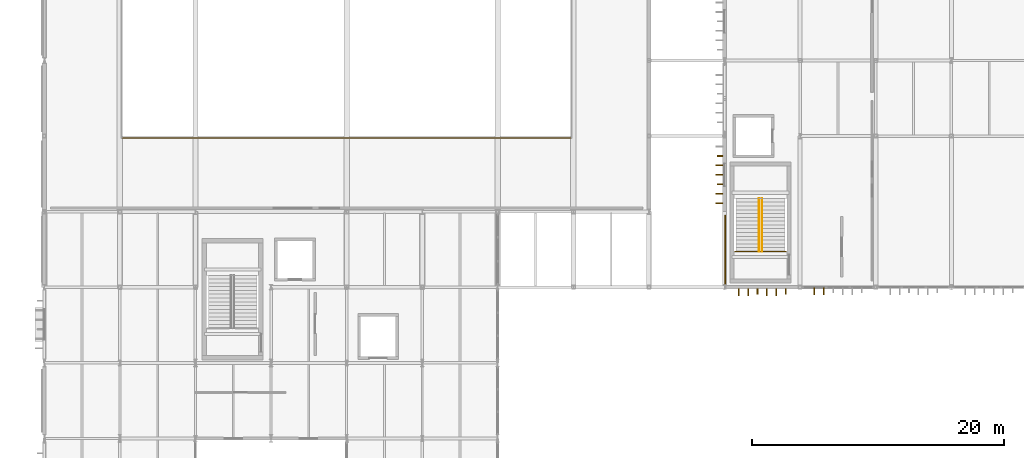
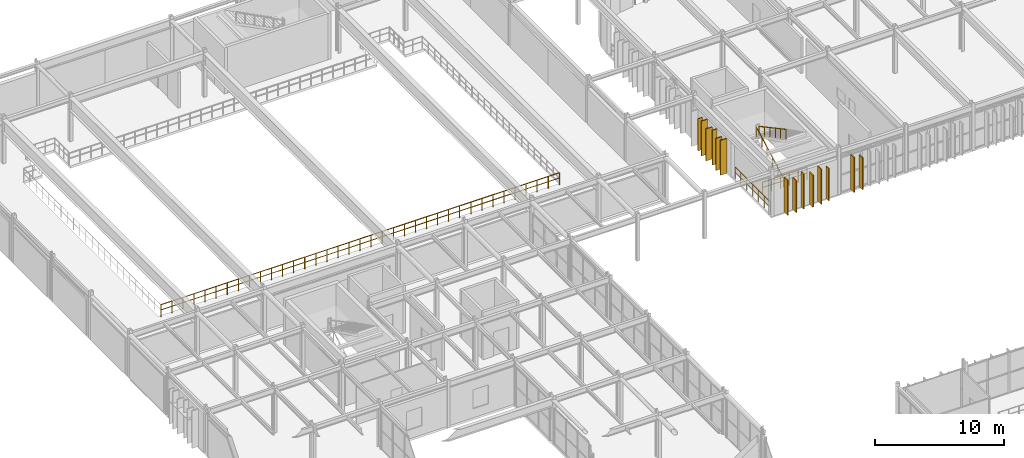
# One storey, part 87 of 96: 14 coverings, 5 railings.
"""IFC4 building model written with IfcOpenShell, lengths in metres."""

from ifc_helpers import new_model, si_unit, direction, frame, origin, origin_2d, place, context, subcontext, project, spatial, rectangle, circle, extrude, material, layer, layer_set, type_object, element, save


model = new_model("IFC4")

# Units and contexts
model_context = context("Model", 3, precision=1e-05, world=origin(), true_north=direction((0.0, 1.0)))
body_context = subcontext(model_context, "Body", "Model", "MODEL_VIEW")
ifc_project = project(units=[si_unit("LENGTHUNIT", "METRE"), si_unit("AREAUNIT", "SQUARE_METRE"), si_unit("VOLUMEUNIT", "CUBIC_METRE"), si_unit("PLANEANGLEUNIT", "RADIAN"), si_unit("MASSUNIT", "GRAM", prefix="KILO")], contexts=[model_context])

# Site, building, storey
site_placement = place(None, origin())
site = spatial("IfcSite", under=ifc_project, at=site_placement, CompositionType="ELEMENT")
building_placement = place(site_placement, origin())
building = spatial("IfcBuilding", under=site, at=building_placement, Name="Varnakota Square Police Headquarters", CompositionType="ELEMENT")
storey_placement = place(building_placement, frame((0.0, 0.0, 4.800048828125)))
storey = spatial("IfcBuildingStorey", under=building, at=storey_placement, Name="L01", CompositionType="ELEMENT", Elevation=4.800048828125)

# Coverings
ifc_material_1 = material(Name="White Anodised Aluminium Vertical Facade Blade 420", Category="aluminium")
ifc_layer_1 = layer(ifc_material_1, 0.0849609375, Name="White Anodised Aluminium Vertical Facade Blade 420")
ifc_layer_set_1 = layer_set([ifc_layer_1], Name="White Anodised Aluminium Vertical Facade Blade 420")
covering_type_1 = type_object("IfcCoveringType", Name="COV-FIN-420", PredefinedType="CLADDING", material=ifc_layer_set_1)
covering_1_placement = place(storey_placement, frame((62.612548828125, 68.655029296875, 0.0400390625), z_axis=(0.0, 0.0, 1.0), x_axis=(1.0, 0.0, 0.0)))
element("IfcCovering", 1, at=covering_1_placement, inside=storey, type_object=covering_type_1, Name="Vertical aluminium facade fin FIN-1124", PredefinedType="CLADDING", context=body_context, shape_type="SweptSolid", body=[
    extrude(rectangle(XDim=0.0849609375, YDim=0.419921875, at=origin_2d()), origin(), (0.0, 0.0, 1.0), 3.31005859375),
])
covering_2_placement = place(storey_placement, frame((64.862548828125, 68.655029296875, 0.0400390625), z_axis=(0.0, 0.0, 1.0), x_axis=(1.0, 0.0, 0.0)))
element("IfcCovering", 2, at=covering_2_placement, inside=storey, type_object=covering_type_1, Name="Vertical aluminium facade fin FIN-1127", PredefinedType="CLADDING", context=body_context, shape_type="SweptSolid", body=[
    extrude(rectangle(XDim=0.0849609375, YDim=0.419921875, at=origin_2d()), origin(), (0.0, 0.0, 1.0), 3.030029296875),
])
covering_3_placement = place(storey_placement, frame((59.635009765625, 77.173095703125, 0.0400390625), z_axis=(0.0, 0.0, 1.0), x_axis=(0.0, 1.0, 0.0)))
element("IfcCovering", 3, at=covering_3_placement, inside=storey, type_object=covering_type_1, Name="Vertical aluminium facade fin FIN-1184", PredefinedType="CLADDING", context=body_context, shape_type="SweptSolid", body=[
    extrude(rectangle(XDim=0.0849609375, YDim=0.419921875, at=origin_2d()), origin(), (0.0, 0.0, 1.0), 3.31005859375),
])
covering_4_placement = place(storey_placement, frame((59.635009765625, 79.423095703125, 0.0400390625), z_axis=(0.0, 0.0, 1.0), x_axis=(0.0, 1.0, 0.0)))
element("IfcCovering", 4, at=covering_4_placement, inside=storey, type_object=covering_type_1, Name="Vertical aluminium facade fin FIN-1187", PredefinedType="CLADDING", context=body_context, shape_type="SweptSolid", body=[
    extrude(rectangle(XDim=0.0849609375, YDim=0.419921875, at=origin_2d()), origin(), (0.0, 0.0, 1.0), 3.030029296875),
])
ifc_material_2 = material(Name="White Anodised Aluminium Vertical Facade Blade 550", Category="aluminium")
ifc_layer_2 = layer(ifc_material_2, 0.0849609375, Name="White Anodised Aluminium Vertical Facade Blade 550")
ifc_layer_set_2 = layer_set([ifc_layer_2], Name="White Anodised Aluminium Vertical Facade Blade 550")
covering_type_2 = type_object("IfcCoveringType", Name="COV-FIN-550", PredefinedType="CLADDING", material=ifc_layer_set_2)
covering_5_placement = place(storey_placement, frame((61.112548828125, 68.590087890625, 0.0400390625), z_axis=(0.0, 0.0, 1.0), x_axis=(1.0, 0.0, 0.0)))
element("IfcCovering", 5, at=covering_5_placement, inside=storey, type_object=covering_type_2, Name="Vertical aluminium facade fin FIN-1122", PredefinedType="CLADDING", context=body_context, shape_type="SweptSolid", body=[
    extrude(rectangle(XDim=0.0849609375, YDim=0.550048828125, at=origin_2d()), origin(), (0.0, 0.0, 1.0), 3.31005859375),
])
for number, where, z_axis, x_axis, name in (
    (6, (61.862548828125, 68.590087890625, 0.0400390625), (0.0, 0.0, 1.0), (1.0, 0.0, 0.0), "Vertical aluminium facade fin FIN-1123"),
    (7, (63.362548828125, 68.590087890625, 0.0400390625), (0.0, 0.0, 1.0), (1.0, 0.0, 0.0), "Vertical aluminium facade fin FIN-1125"),
):
    element("IfcCovering", number, at=place(storey_placement, frame(where, z_axis=z_axis, x_axis=x_axis)), inside=storey, type_object=covering_type_2, Name=name, PredefinedType="CLADDING", context=body_context, shape_type="SweptSolid", body=[
        extrude(rectangle(XDim=0.0849609375, YDim=0.550048828125, at=origin_2d()), origin(), (0.0, 0.0, 1.0), 3.030029296875),
    ])
for number, where, z_axis, x_axis, name in (
    (8, (64.112548828125, 68.590087890625, 0.0400390625), (0.0, 0.0, 1.0), (1.0, 0.0, 0.0), "Vertical aluminium facade fin FIN-1126"),
    (9, (67.125, 68.697509765625, 0.0400390625), (0.0, 0.0, 1.0), (1.0, 0.0, 0.0), "Vertical aluminium facade fin FIN-1128"),
):
    element("IfcCovering", number, at=place(storey_placement, frame(where, z_axis=z_axis, x_axis=x_axis)), inside=storey, type_object=covering_type_2, Name=name, PredefinedType="CLADDING", context=body_context, shape_type="SweptSolid", body=[
        extrude(rectangle(XDim=0.0849609375, YDim=0.550048828125, at=origin_2d()), origin(), (0.0, 0.0, 1.0), 3.31005859375),
    ])
covering_6_placement = place(storey_placement, frame((67.875, 68.697509765625, 0.0400390625), z_axis=(0.0, 0.0, 1.0), x_axis=(1.0, 0.0, 0.0)))
element("IfcCovering", 10, at=covering_6_placement, inside=storey, type_object=covering_type_2, Name="Vertical aluminium facade fin FIN-1129", PredefinedType="CLADDING", context=body_context, shape_type="SweptSolid", body=[
    extrude(rectangle(XDim=0.0849609375, YDim=0.550048828125, at=origin_2d()), origin(), (0.0, 0.0, 1.0), 3.030029296875),
])
covering_7_placement = place(storey_placement, frame((59.570068359375, 75.673095703125, 0.0400390625), z_axis=(0.0, 0.0, 1.0), x_axis=(0.0, 1.0, 0.0)))
element("IfcCovering", 11, at=covering_7_placement, inside=storey, type_object=covering_type_2, Name="Vertical aluminium facade fin FIN-1182", PredefinedType="CLADDING", context=body_context, shape_type="SweptSolid", body=[
    extrude(rectangle(XDim=0.0849609375, YDim=0.550048828125, at=origin_2d()), origin(), (0.0, 0.0, 1.0), 3.31005859375),
])
for number, where, z_axis, x_axis, name in (
    (12, (59.570068359375, 76.423095703125, 0.0400390625), (0.0, 0.0, 1.0), (0.0, 1.0, 0.0), "Vertical aluminium facade fin FIN-1183"),
    (13, (59.570068359375, 77.923095703125, 0.0400390625), (0.0, 0.0, 1.0), (0.0, 1.0, 0.0), "Vertical aluminium facade fin FIN-1185"),
):
    element("IfcCovering", number, at=place(storey_placement, frame(where, z_axis=z_axis, x_axis=x_axis)), inside=storey, type_object=covering_type_2, Name=name, PredefinedType="CLADDING", context=body_context, shape_type="SweptSolid", body=[
        extrude(rectangle(XDim=0.0849609375, YDim=0.550048828125, at=origin_2d()), origin(), (0.0, 0.0, 1.0), 3.030029296875),
    ])
covering_8_placement = place(storey_placement, frame((59.570068359375, 78.673095703125, 0.0400390625), z_axis=(0.0, 0.0, 1.0), x_axis=(0.0, 1.0, 0.0)))
element("IfcCovering", 14, at=covering_8_placement, inside=storey, type_object=covering_type_2, Name="Vertical aluminium facade fin FIN-1186", PredefinedType="CLADDING", context=body_context, shape_type="SweptSolid", body=[
    extrude(rectangle(XDim=0.0849609375, YDim=0.550048828125, at=origin_2d()), origin(), (0.0, 0.0, 1.0), 3.31005859375),
])

# Railings
ifc_material_3 = material(Name="Galvanised Powder-Coated Steel Guardrail", Category="steel")
railing_type_1 = type_object("IfcRailingType", Name="RL-BAL-1150", PredefinedType="BALUSTRADE", material=ifc_material_3)
railing_1_placement = place(storey_placement, frame((60.050048828125, 69.2685546875, 0.0)))
element("IfcRailing", 15, at=railing_1_placement, inside=storey, type_object=railing_type_1, Name="Perimeter edge safety guard GD-AUTO-L01-030", PredefinedType="BALUSTRADE", context=body_context, shape_type="SweptSolid", body=[
    extrude(circle(Radius=0.02392578125, at=origin_2d()), frame((0.0, 0.0, 1.1259765625), z_axis=(0.0, 1.0, 0.0), x_axis=(-1.0, 0.0, 0.0)), (0.0, 0.0, 1.0), 5.43603515625),
    extrude(circle(Radius=0.01806640625, at=origin_2d()), frame((0.0, 0.0, 0.63232421875), z_axis=(0.0, 1.0, 0.0), x_axis=(-1.0, 0.0, 0.0)), (0.0, 0.0, 1.0), 5.43603515625),
    extrude(circle(Radius=0.02099609375, at=origin_2d()), origin(), (0.0, 0.0, 1.0), 1.101806640625),
    extrude(circle(Radius=0.02099609375, at=origin_2d()), frame((0.0, 0.906005859375, 0.0)), (0.0, 0.0, 1.0), 1.101806640625),
    extrude(circle(Radius=0.02099609375, at=origin_2d()), frame((0.0, 1.81201171875, 0.0)), (0.0, 0.0, 1.0), 1.101806640625),
    extrude(circle(Radius=0.02099609375, at=origin_2d()), frame((0.0, 2.718017578125, 0.0)), (0.0, 0.0, 1.0), 1.101806640625),
    extrude(circle(Radius=0.02099609375, at=origin_2d()), frame((0.0, 3.6240234375, 0.0)), (0.0, 0.0, 1.0), 1.101806640625),
    extrude(circle(Radius=0.02099609375, at=origin_2d()), frame((0.0, 4.530029296875, 0.0)), (0.0, 0.0, 1.0), 1.101806640625),
    extrude(circle(Radius=0.02099609375, at=origin_2d()), frame((0.0, 5.43603515625, 0.0)), (0.0, 0.0, 1.0), 1.101806640625),
])
ifc_material_4 = material(Name="Brushed Stainless Steel Tubular Handrail", Category="steel")
railing_type_2 = type_object("IfcRailingType", Name="RL-HND-920", PredefinedType="HANDRAIL", material=ifc_material_4)
railing_2_placement = place(storey_placement, frame((62.72998046875, 71.85009765625, 0.0)))
element("IfcRailing", 16, at=railing_2_placement, inside=storey, type_object=railing_type_2, Name="Stair flight handrail HR-L01-069", PredefinedType="HANDRAIL", context=body_context, shape_type="SweptSolid", body=[
    extrude(circle(Radius=0.02392578125, at=origin_2d()), frame((0.0, 0.0, 0.89599609375), z_axis=(0.0, 0.881511956786, 0.472161699043), x_axis=(-1.0, 0.0, 0.0)), (0.0, 0.0, 1.0), 4.765380859375),
    extrude(circle(Radius=0.02099609375, at=origin_2d()), origin(), (0.0, 0.0, 1.0), 0.871826171875),
    extrude(circle(Radius=0.02099609375, at=origin_2d()), frame((0.0, 0.840087890625, 0.449951171875)), (0.0, 0.0, 1.0), 0.871826171875),
    extrude(circle(Radius=0.02099609375, at=origin_2d()), frame((0.0, 1.68017578125, 0.89990234375)), (0.0, 0.0, 1.0), 0.871826171875),
    extrude(circle(Radius=0.02099609375, at=origin_2d()), frame((0.0, 2.5205078125, 1.35009765625)), (0.0, 0.0, 1.0), 0.871826171875),
    extrude(circle(Radius=0.02099609375, at=origin_2d()), frame((0.0, 3.360595703125, 1.800048828125)), (0.0, 0.0, 1.0), 0.871826171875),
    extrude(circle(Radius=0.02099609375, at=origin_2d()), frame((0.0, 4.20068359375, 2.25)), (0.0, 0.0, 1.0), 0.871826171875),
])
railing_3_placement = place(storey_placement, frame((62.969970703125, 76.05078125, 2.25)))
element("IfcRailing", 17, at=railing_3_placement, inside=storey, type_object=railing_type_2, Name="Stair flight handrail HR-L01-070", PredefinedType="HANDRAIL", context=body_context, shape_type="SweptSolid", body=[
    extrude(circle(Radius=0.02392578125, at=origin_2d()), frame((0.0, 0.0, 0.89599609375), z_axis=(0.0, -0.881511956786, 0.472161699043), x_axis=(1.0, 0.0, 0.0)), (0.0, 0.0, 1.0), 4.765380859375),
    extrude(circle(Radius=0.02099609375, at=origin_2d()), origin(), (0.0, 0.0, 1.0), 0.871826171875),
    extrude(circle(Radius=0.02099609375, at=origin_2d()), frame((0.0, -0.840087890625, 0.449951171875)), (0.0, 0.0, 1.0), 0.871826171875),
    extrude(circle(Radius=0.02099609375, at=origin_2d()), frame((0.0, -1.68017578125, 0.89990234375)), (0.0, 0.0, 1.0), 0.871826171875),
    extrude(circle(Radius=0.02099609375, at=origin_2d()), frame((0.0, -2.5205078125, 1.35009765625)), (0.0, 0.0, 1.0), 0.871826171875),
    extrude(circle(Radius=0.02099609375, at=origin_2d()), frame((0.0, -3.360595703125, 1.800048828125)), (0.0, 0.0, 1.0), 0.871826171875),
    extrude(circle(Radius=0.02099609375, at=origin_2d()), frame((0.0, -4.20068359375, 2.25)), (0.0, 0.0, 1.0), 0.871826171875),
])
ifc_material_5 = material(Name="Laminated Glass and Stainless Steel Balustrade", Category="steel")
railing_type_3 = type_object("IfcRailingType", Name="RL-INT-1150", PredefinedType="BALUSTRADE", material=ifc_material_5)
railing_4_placement = place(storey_placement, frame((60.840087890625, 71.85009765625, 0.0)))
element("IfcRailing", 18, at=railing_4_placement, inside=storey, type_object=railing_type_3, Name="Stair well safety guard C6 L01", PredefinedType="BALUSTRADE", context=body_context, shape_type="SweptSolid", body=[
    extrude(circle(Radius=0.02392578125, at=origin_2d()), frame((0.0, 0.0, 1.1259765625), z_axis=(1.0, 0.0, 0.0), x_axis=(0.0, 1.0, 0.0)), (0.0, 0.0, 1.0), 4.02001953125),
    extrude(circle(Radius=0.01806640625, at=origin_2d()), frame((0.0, 0.0, 0.63232421875), z_axis=(1.0, 0.0, 0.0), x_axis=(0.0, 1.0, 0.0)), (0.0, 0.0, 1.0), 4.02001953125),
    extrude(circle(Radius=0.02099609375, at=origin_2d()), origin(), (0.0, 0.0, 1.0), 1.101806640625),
    extrude(circle(Radius=0.02099609375, at=origin_2d()), frame((0.803955078125, 0.0, 0.0)), (0.0, 0.0, 1.0), 1.101806640625),
    extrude(circle(Radius=0.02099609375, at=origin_2d()), frame((1.60791015625, 0.0, 0.0)), (0.0, 0.0, 1.0), 1.101806640625),
    extrude(circle(Radius=0.02099609375, at=origin_2d()), frame((2.412109375, 0.0, 0.0)), (0.0, 0.0, 1.0), 1.101806640625),
    extrude(circle(Radius=0.02099609375, at=origin_2d()), frame((3.216064453125, 0.0, 0.0)), (0.0, 0.0, 1.0), 1.101806640625),
    extrude(circle(Radius=0.02099609375, at=origin_2d()), frame((4.02001953125, 0.0, 0.0)), (0.0, 0.0, 1.0), 1.101806640625),
])
railing_5_placement = place(storey_placement, frame((12.14990234375, 80.85009765625, 0.0)))
element("IfcRailing", 19, at=railing_5_placement, inside=storey, type_object=railing_type_3, Name="Auditorium and range gallery balustrade", PredefinedType="BALUSTRADE", context=body_context, shape_type="SweptSolid", body=[
    extrude(circle(Radius=0.02392578125, at=origin_2d()), frame((0.0, 0.0, 1.1259765625), z_axis=(1.0, 0.0, 0.0), x_axis=(0.0, 1.0, 0.0)), (0.0, 0.0, 1.0), 35.7001953125),
    extrude(circle(Radius=0.01806640625, at=origin_2d()), frame((0.0, 0.0, 0.63232421875), z_axis=(1.0, 0.0, 0.0), x_axis=(0.0, 1.0, 0.0)), (0.0, 0.0, 1.0), 35.7001953125),
    extrude(circle(Radius=0.02099609375, at=origin_2d()), origin(), (0.0, 0.0, 1.0), 1.101806640625),
    extrude(circle(Radius=0.02099609375, at=origin_2d()), frame((0.99169921875, 0.0, 0.0)), (0.0, 0.0, 1.0), 1.101806640625),
    extrude(circle(Radius=0.02099609375, at=origin_2d()), frame((1.9833984375, 0.0, 0.0)), (0.0, 0.0, 1.0), 1.101806640625),
    extrude(circle(Radius=0.02099609375, at=origin_2d()), frame((2.97509765625, 0.0, 0.0)), (0.0, 0.0, 1.0), 1.101806640625),
    extrude(circle(Radius=0.02099609375, at=origin_2d()), frame((3.966796875, 0.0, 0.0)), (0.0, 0.0, 1.0), 1.101806640625),
    extrude(circle(Radius=0.02099609375, at=origin_2d()), frame((4.958251953125, 0.0, 0.0)), (0.0, 0.0, 1.0), 1.101806640625),
    extrude(circle(Radius=0.02099609375, at=origin_2d()), frame((5.949951171875, 0.0, 0.0)), (0.0, 0.0, 1.0), 1.101806640625),
    extrude(circle(Radius=0.02099609375, at=origin_2d()), frame((6.941650390625, 0.0, 0.0)), (0.0, 0.0, 1.0), 1.101806640625),
    extrude(circle(Radius=0.02099609375, at=origin_2d()), frame((7.933349609375, 0.0, 0.0)), (0.0, 0.0, 1.0), 1.101806640625),
    extrude(circle(Radius=0.02099609375, at=origin_2d()), frame((8.925048828125, 0.0, 0.0)), (0.0, 0.0, 1.0), 1.101806640625),
    extrude(circle(Radius=0.02099609375, at=origin_2d()), frame((9.916748046875, 0.0, 0.0)), (0.0, 0.0, 1.0), 1.101806640625),
    extrude(circle(Radius=0.02099609375, at=origin_2d()), frame((10.908447265625, 0.0, 0.0)), (0.0, 0.0, 1.0), 1.101806640625),
    extrude(circle(Radius=0.02099609375, at=origin_2d()), frame((11.900146484375, 0.0, 0.0)), (0.0, 0.0, 1.0), 1.101806640625),
    extrude(circle(Radius=0.02099609375, at=origin_2d()), frame((12.891845703125, 0.0, 0.0)), (0.0, 0.0, 1.0), 1.101806640625),
    extrude(circle(Radius=0.02099609375, at=origin_2d()), frame((13.88330078125, 0.0, 0.0)), (0.0, 0.0, 1.0), 1.101806640625),
    extrude(circle(Radius=0.02099609375, at=origin_2d()), frame((14.875, 0.0, 0.0)), (0.0, 0.0, 1.0), 1.101806640625),
    extrude(circle(Radius=0.02099609375, at=origin_2d()), frame((15.86669921875, 0.0, 0.0)), (0.0, 0.0, 1.0), 1.101806640625),
    extrude(circle(Radius=0.02099609375, at=origin_2d()), frame((16.8583984375, 0.0, 0.0)), (0.0, 0.0, 1.0), 1.101806640625),
    extrude(circle(Radius=0.02099609375, at=origin_2d()), frame((17.85009765625, 0.0, 0.0)), (0.0, 0.0, 1.0), 1.101806640625),
    extrude(circle(Radius=0.02099609375, at=origin_2d()), frame((18.841796875, 0.0, 0.0)), (0.0, 0.0, 1.0), 1.101806640625),
    extrude(circle(Radius=0.02099609375, at=origin_2d()), frame((19.83349609375, 0.0, 0.0)), (0.0, 0.0, 1.0), 1.101806640625),
    extrude(circle(Radius=0.02099609375, at=origin_2d()), frame((20.8251953125, 0.0, 0.0)), (0.0, 0.0, 1.0), 1.101806640625),
    extrude(circle(Radius=0.02099609375, at=origin_2d()), frame((21.81689453125, 0.0, 0.0)), (0.0, 0.0, 1.0), 1.101806640625),
    extrude(circle(Radius=0.02099609375, at=origin_2d()), frame((22.808349609375, 0.0, 0.0)), (0.0, 0.0, 1.0), 1.101806640625),
    extrude(circle(Radius=0.02099609375, at=origin_2d()), frame((23.800048828125, 0.0, 0.0)), (0.0, 0.0, 1.0), 1.101806640625),
    extrude(circle(Radius=0.02099609375, at=origin_2d()), frame((24.791748046875, 0.0, 0.0)), (0.0, 0.0, 1.0), 1.101806640625),
    extrude(circle(Radius=0.02099609375, at=origin_2d()), frame((25.783447265625, 0.0, 0.0)), (0.0, 0.0, 1.0), 1.101806640625),
    extrude(circle(Radius=0.02099609375, at=origin_2d()), frame((26.775146484375, 0.0, 0.0)), (0.0, 0.0, 1.0), 1.101806640625),
    extrude(circle(Radius=0.02099609375, at=origin_2d()), frame((27.766845703125, 0.0, 0.0)), (0.0, 0.0, 1.0), 1.101806640625),
    extrude(circle(Radius=0.02099609375, at=origin_2d()), frame((28.758544921875, 0.0, 0.0)), (0.0, 0.0, 1.0), 1.101806640625),
    extrude(circle(Radius=0.02099609375, at=origin_2d()), frame((29.750244140625, 0.0, 0.0)), (0.0, 0.0, 1.0), 1.101806640625),
    extrude(circle(Radius=0.02099609375, at=origin_2d()), frame((30.741943359375, 0.0, 0.0)), (0.0, 0.0, 1.0), 1.101806640625),
    extrude(circle(Radius=0.02099609375, at=origin_2d()), frame((31.7333984375, 0.0, 0.0)), (0.0, 0.0, 1.0), 1.101806640625),
    extrude(circle(Radius=0.02099609375, at=origin_2d()), frame((32.72509765625, 0.0, 0.0)), (0.0, 0.0, 1.0), 1.101806640625),
    extrude(circle(Radius=0.02099609375, at=origin_2d()), frame((33.716796875, 0.0, 0.0)), (0.0, 0.0, 1.0), 1.101806640625),
    extrude(circle(Radius=0.02099609375, at=origin_2d()), frame((34.70849609375, 0.0, 0.0)), (0.0, 0.0, 1.0), 1.101806640625),
    extrude(circle(Radius=0.02099609375, at=origin_2d()), frame((35.7001953125, 0.0, 0.0)), (0.0, 0.0, 1.0), 1.101806640625),
])

save(model, "model.ifc")
